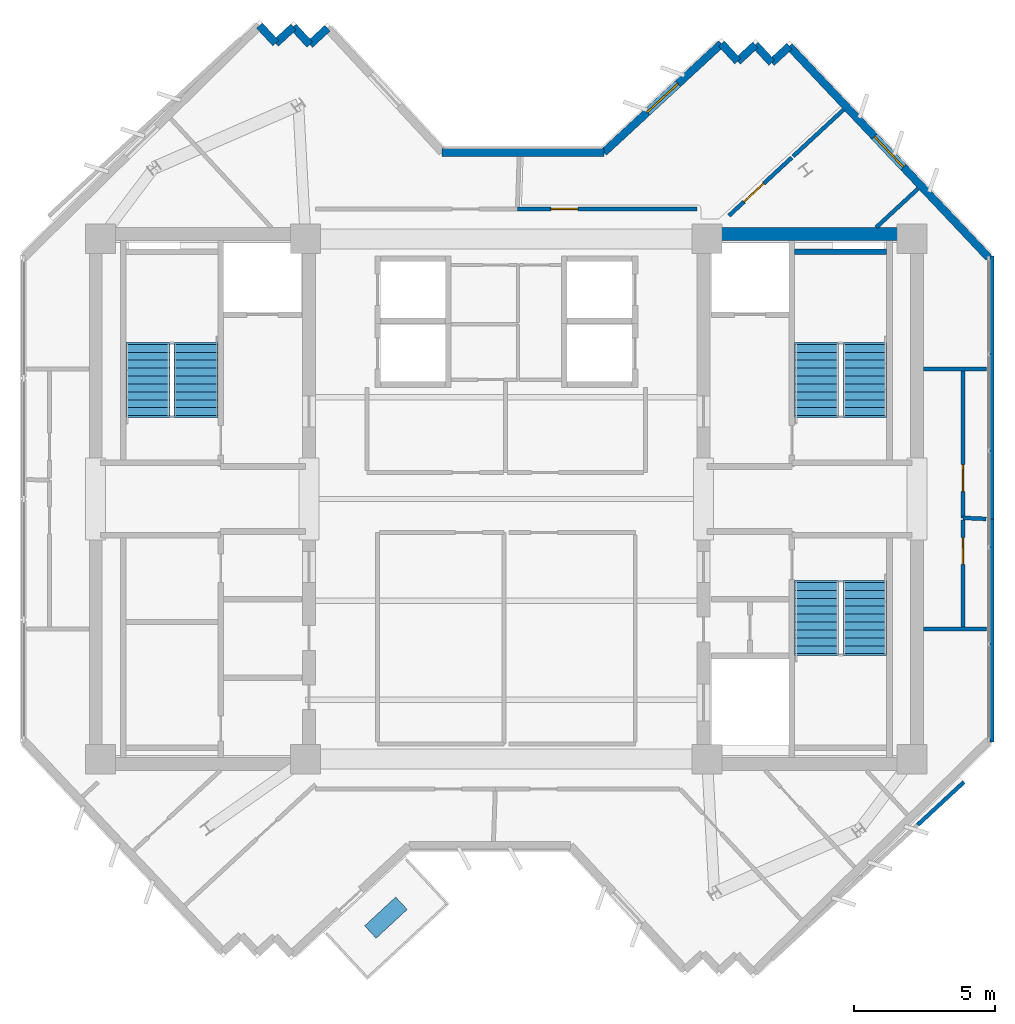
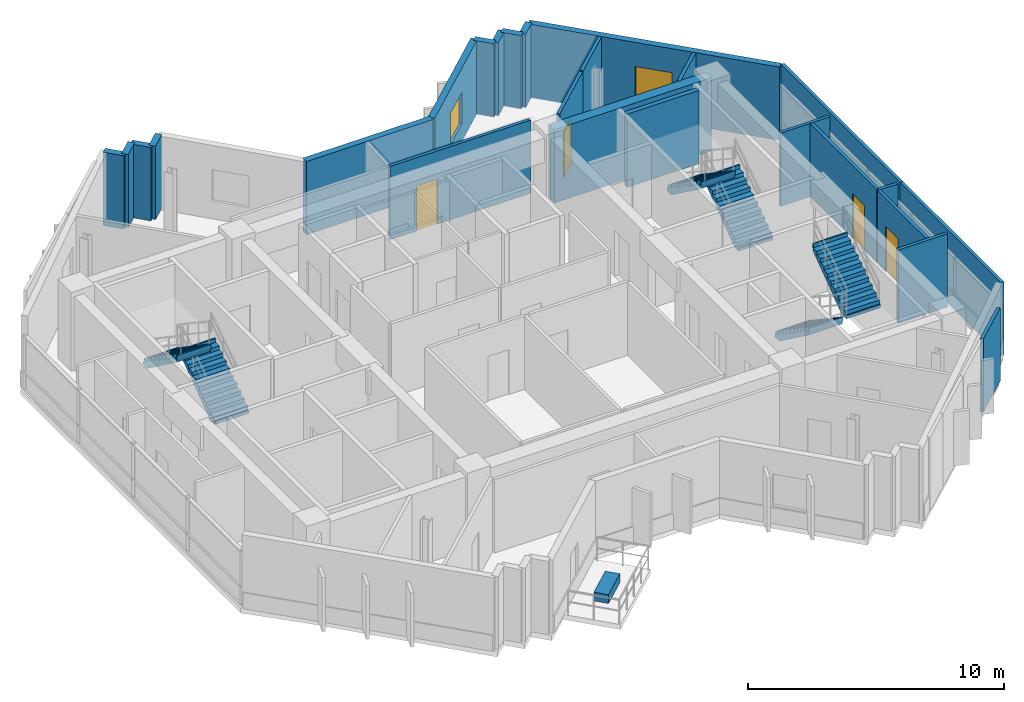
# One storey, part 7 of 9: 25 walls, 6 stair flights, 4 doors, 2 windows, 1 discrete accessory, 6 openings, 3 elements without a shape of their own.
"""IFC4 building model written with IfcOpenShell, lengths in metres."""

from ifc_helpers import new_model, si_unit, direction, frame, frame_2d, origin, origin_2d, place, context, subcontext, project, spatial, polyline, rectangle, outline, extrude, source, transform, mapped, material, layer, layer_set, type_object, element, fill, aggregate, save


model = new_model("IFC4")

# Units and contexts
model_context = context("Model", 3, precision=1e-05, world=origin(), true_north=direction((0.0, 1.0)))
body_context = subcontext(model_context, "Body", "Model", "MODEL_VIEW")
ifc_project = project(units=[si_unit("LENGTHUNIT", "METRE"), si_unit("AREAUNIT", "SQUARE_METRE"), si_unit("VOLUMEUNIT", "CUBIC_METRE"), si_unit("PLANEANGLEUNIT", "RADIAN"), si_unit("MASSUNIT", "GRAM", prefix="KILO")], contexts=[model_context])

# Site, building, storey
site_placement = place(None, origin())
site = spatial("IfcSite", under=ifc_project, at=site_placement, CompositionType="ELEMENT")
building_placement = place(site_placement, origin())
building = spatial("IfcBuilding", under=site, at=building_placement, Name="Zahravan Cultural Tower", CompositionType="ELEMENT")
storey_placement = place(building_placement, frame((0.0, 0.0, 295.35009765625)))
storey = spatial("IfcBuildingStorey", under=building, at=storey_placement, Name="L71", CompositionType="ELEMENT", Elevation=295.35009765625)

# Wall, opening, window
ifc_material_1 = material(Name="Precast concrete C40/50", Category="concrete")
ifc_layer_1 = layer(ifc_material_1, 0.280029296875)
ifc_layer_set_1 = layer_set([ifc_layer_1], Name="Precast concrete C40/50")
wall_type_1 = type_object("IfcWallType", Name="EW-TC-280", PredefinedType="SOLIDWALL", material=ifc_layer_set_1)
wall_1_placement = place(storey_placement, frame((39.44677734375, 39.260009765625, 0.0), z_axis=(0.0, 0.0, 1.0), x_axis=(0.734109106874, 0.679031530346, 0.0)))
wall_1 = element("IfcWall", 1, at=wall_1_placement, inside=storey, type_object=wall_type_1, Name="L71 Exterior Masonry Frame Wall 01", PredefinedType="SOLIDWALL", context=body_context, shape_type="SweptSolid", body=[
    extrude(rectangle(XDim=5.6650390625, YDim=0.280029296875, at=frame_2d((2.83251953125, 0.0))), origin(), (0.0, 0.0, 1.0), 3.5),
])
opening_1_placement = place(wall_1_placement, frame((2.08203125, 0.0, 0.85009765625)))
opening_1 = element("IfcOpeningElement", 2, at=opening_1_placement, cuts=wall_1, Name="Opening WN-03", PredefinedType="OPENING", context=body_context, shape_type="SweptSolid", body=[
    extrude(rectangle(XDim=1.5, YDim=1.5, at=frame_2d((0.75, 0.75))), frame((0.0, 0.14990234375, 0.0), z_axis=(0.0, -1.0, 0.0), x_axis=(1.0, 0.0, 0.0)), (0.0, 0.0, 1.0), 0.300048828125),
])
ifc_material_2 = material(Name="Low-E solar-control double glazing", Category="glass")
window_type = type_object("IfcWindowType", Name="WN-REC-1500X1500", PartitioningType="SINGLE_PANEL", PredefinedType="WINDOW", material=ifc_material_2)
shared_shape_1 = source(origin(), body_context, "Body", "SweptSolid", [
    extrude(rectangle(XDim=1.5, YDim=1.5, at=frame_2d((0.75, 0.75))), frame((0.0, 0.030029296875, 0.0), z_axis=(0.0, -1.0, 0.0), x_axis=(1.0, 0.0, 0.0)), (0.0, 0.0, 1.0), 0.06005859375),
])
window_1_placement = place(opening_1_placement, origin())
window_1 = element("IfcWindow", 3, at=window_1_placement, inside=storey, type_object=window_type, Name="L71 Recessed Solar Window 01", OverallHeight=1.5, OverallWidth=1.5, PartitioningType="SINGLE_PANEL", PredefinedType="WINDOW", context=body_context, shape_type="MappedRepresentation", body=[
    mapped(shared_shape_1, transform((0.0, 0.0, 0.0), x_axis=(1.0, 0.0, 0.0), y_axis=(0.0, 1.0, 0.0), z_axis=(0.0, 0.0, 1.0), scale=1.0)),
])
fill(opening_1, window_1)

wall_2_placement = place(storey_placement, frame((46.0078125, 43.012939453125, 0.0), z_axis=(0.0, 0.0, 1.0), x_axis=(0.68643580465, -0.727190405667, 0.0)))
wall_2 = element("IfcWall", 4, at=wall_2_placement, inside=storey, type_object=wall_type_1, Name="L71 Exterior Masonry Frame Wall 06", PredefinedType="SOLIDWALL", context=body_context, shape_type="SweptSolid", body=[
    extrude(rectangle(XDim=10.273681640625, YDim=0.280029296875, at=frame_2d((5.13671875, 0.0))), origin(), (0.0, 0.0, 1.0), 3.5),
])
opening_2_placement = place(wall_2_placement, frame((4.386962890625, 0.0, 0.85009765625)))
opening_2 = element("IfcOpeningElement", 5, at=opening_2_placement, cuts=wall_2, Name="Opening WN-03", PredefinedType="OPENING", context=body_context, shape_type="SweptSolid", body=[
    extrude(rectangle(XDim=1.5, YDim=1.5, at=frame_2d((0.75, 0.75))), frame((0.0, 0.14990234375, 0.0), z_axis=(0.0, -1.0, 0.0), x_axis=(1.0, 0.0, 0.0)), (0.0, 0.0, 1.0), 0.300048828125),
])
window_2_placement = place(opening_2_placement, origin())
window_2 = element("IfcWindow", 6, at=window_2_placement, inside=storey, type_object=window_type, Name="L71 Recessed Solar Window 02", OverallHeight=1.5, OverallWidth=1.5, PartitioningType="SINGLE_PANEL", PredefinedType="WINDOW", context=body_context, shape_type="MappedRepresentation", body=[
    mapped(shared_shape_1, transform((0.0, 0.0, 0.0), x_axis=(1.0, 0.0, 0.0), y_axis=(0.0, 1.0, 0.0), z_axis=(0.0, 0.0, 1.0), scale=1.0)),
])
fill(opening_2, window_2)

# Wall, opening, door
ifc_material_3 = material(Name="Gypsum plasterboard partition")
ifc_layer_2 = layer(ifc_material_3, 0.139892578125)
ifc_layer_set_2 = layer_set([ifc_layer_2], Name="Gypsum plasterboard partition")
wall_type_2 = type_object("IfcWallType", Name="W-PART-140", PredefinedType="PARTITIONING", material=ifc_layer_set_2)
wall_3_placement = place(storey_placement, frame((43.873046875, 37.02001953125, 0.0), z_axis=(0.0, 0.0, 1.0), x_axis=(0.734120521476, 0.679019189676, 0.0)))
wall_3 = element("IfcWall", 7, at=wall_3_placement, inside=storey, type_object=wall_type_2, Name="L71 Interior Wall 063", PredefinedType="PARTITIONING", context=body_context, shape_type="SweptSolid", body=[
    extrude(rectangle(XDim=3.030517578125, YDim=0.139892578125, at=frame_2d((1.51513671875, 0.0))), origin(), (0.0, 0.0, 1.0), 3.5),
])
opening_3_placement = place(wall_3_placement, frame((0.728271484375, 0.0, 0.0)))
opening_3 = element("IfcOpeningElement", 8, at=opening_3_placement, cuts=wall_3, Name="Opening D-L71-29", PredefinedType="OPENING", context=body_context, shape_type="SweptSolid", body=[
    extrude(rectangle(XDim=0.949951171875, YDim=2.14990234375, at=frame_2d((0.47509765625, 1.074951171875))), frame((0.0, 0.079833984375, 0.0), z_axis=(0.0, -1.0, 0.0), x_axis=(1.0, 0.0, 0.0)), (0.0, 0.0, 1.0), 0.159912109375),
])
ifc_material_4 = material(Name="Anodised bronze-aluminium mullion", Category="aluminium")
door_type = type_object("IfcDoorType", Name="DR-ROOM-950", OperationType="NOTDEFINED", PredefinedType="DOOR", material=ifc_material_4)
shared_shape_2 = source(origin(), body_context, "Body", "SweptSolid", [
    extrude(rectangle(XDim=0.949951171875, YDim=2.14990234375, at=frame_2d((0.47509765625, 1.074951171875))), frame((0.0, 0.02490234375, 0.0), z_axis=(0.0, -1.0, 0.0), x_axis=(1.0, 0.0, 0.0)), (0.0, 0.0, 1.0), 0.050048828125),
])
door_1_placement = place(opening_3_placement, origin())
door_1 = element("IfcDoor", 9, at=door_1_placement, inside=storey, type_object=door_type, Name="L71 Door D-L71-29", OperationType="SINGLE_SWING_LEFT", OverallHeight=2.14990234375, OverallWidth=0.949951171875, PredefinedType="DOOR", context=body_context, shape_type="MappedRepresentation", body=[
    mapped(shared_shape_2, transform((0.0, 0.0, 0.0), x_axis=(1.0, 0.0, 0.0), y_axis=(0.0, 1.0, 0.0), z_axis=(0.0, 0.0, 1.0), scale=1.0)),
])
fill(opening_3, door_1)

wall_4_placement = place(storey_placement, frame((52.14990234375, 26.33251953125, 0.0), z_axis=(0.0, 0.0, 1.0), x_axis=(-0.000188111359, 0.999999982307, 0.0)))
wall_4 = element("IfcWall", 10, at=wall_4_placement, inside=storey, type_object=wall_type_2, Name="L71 Interior Wall 072", PredefinedType="PARTITIONING", context=body_context, shape_type="SweptSolid", body=[
    extrude(rectangle(XDim=5.19140625, YDim=0.139892578125, at=frame_2d((2.595703125, 0.0))), origin(), (0.0, 0.0, 1.0), 3.5),
])
opening_4_placement = place(wall_4_placement, frame((0.93310546875, 0.0, 0.0)))
opening_4 = element("IfcOpeningElement", 11, at=opening_4_placement, cuts=wall_4, Name="Opening D-L71-20", PredefinedType="OPENING", context=body_context, shape_type="SweptSolid", body=[
    extrude(rectangle(XDim=0.949951171875, YDim=2.14990234375, at=frame_2d((0.47509765625, 1.074951171875))), frame((0.0, 0.079833984375, 0.0), z_axis=(0.0, -1.0, 0.0), x_axis=(1.0, 0.0, 0.0)), (0.0, 0.0, 1.0), 0.159912109375),
])
door_2_placement = place(opening_4_placement, origin())
door_2 = element("IfcDoor", 12, at=door_2_placement, inside=storey, type_object=door_type, Name="L71 Door D-L71-20", OperationType="SINGLE_SWING_RIGHT", OverallHeight=2.14990234375, OverallWidth=0.949951171875, PredefinedType="DOOR", context=body_context, shape_type="MappedRepresentation", body=[
    mapped(shared_shape_2, transform((0.0, 0.0, 0.0), x_axis=(1.0, 0.0, 0.0), y_axis=(0.0, 1.0, 0.0), z_axis=(0.0, 0.0, 1.0), scale=1.0)),
])
fill(opening_4, door_2)

wall_5_placement = place(storey_placement, frame((52.148681640625, 22.477294921875, 0.0), z_axis=(0.0, 0.0, 1.0), x_axis=(0.000322913959, 0.999999947863, 0.0)))
wall_5 = element("IfcWall", 13, at=wall_5_placement, inside=storey, type_object=wall_type_2, Name="L71 Interior Wall 074", PredefinedType="PARTITIONING", context=body_context, shape_type="SweptSolid", body=[
    extrude(rectangle(XDim=3.7802734375, YDim=0.139892578125, at=frame_2d((1.89013671875, 0.0))), origin(), (0.0, 0.0, 1.0), 3.5),
])
opening_5_placement = place(wall_5_placement, frame((2.20751953125, 0.0, 0.0)))
opening_5 = element("IfcOpeningElement", 14, at=opening_5_placement, cuts=wall_5, Name="Opening D-L71-27", PredefinedType="OPENING", context=body_context, shape_type="SweptSolid", body=[
    extrude(rectangle(XDim=0.949951171875, YDim=2.14990234375, at=frame_2d((0.47509765625, 1.074951171875))), frame((0.0, 0.079833984375, 0.0), z_axis=(0.0, -1.0, 0.0), x_axis=(1.0, 0.0, 0.0)), (0.0, 0.0, 1.0), 0.159912109375),
])
door_3_placement = place(opening_5_placement, origin())
door_3 = element("IfcDoor", 15, at=door_3_placement, inside=storey, type_object=door_type, Name="L71 Door D-L71-27", OperationType="SINGLE_SWING_LEFT", OverallHeight=2.14990234375, OverallWidth=0.949951171875, PredefinedType="DOOR", context=body_context, shape_type="MappedRepresentation", body=[
    mapped(shared_shape_2, transform((0.0, 0.0, 0.0), x_axis=(1.0, 0.0, 0.0), y_axis=(0.0, 1.0, 0.0), z_axis=(0.0, 0.0, 1.0), scale=1.0)),
])
fill(opening_5, door_3)

wall_6_placement = place(storey_placement, frame((42.742431640625, 37.259765625, 0.0), z_axis=(0.0, 0.0, 1.0), x_axis=(-0.999999999261, 3.8433452e-05, 0.0)))
wall_6 = element("IfcWall", 16, at=wall_6_placement, inside=storey, type_object=wall_type_2, Name="L71 Interior Wall 092", PredefinedType="PARTITIONING", context=body_context, shape_type="SweptSolid", body=[
    extrude(rectangle(XDim=6.352294921875, YDim=0.139892578125, at=frame_2d((3.17626953125, 0.0))), origin(), (0.0, 0.0, 1.0), 3.5),
])
opening_6_placement = place(wall_6_placement, frame((4.213623046875, 0.0, 0.0)))
opening_6 = element("IfcOpeningElement", 17, at=opening_6_placement, cuts=wall_6, Name="Opening D-L71-21", PredefinedType="OPENING", context=body_context, shape_type="SweptSolid", body=[
    extrude(rectangle(XDim=0.949951171875, YDim=2.14990234375, at=frame_2d((0.47509765625, 1.074951171875))), frame((0.0, 0.079833984375, 0.0), z_axis=(0.0, -1.0, 0.0), x_axis=(1.0, 0.0, 0.0)), (0.0, 0.0, 1.0), 0.159912109375),
])
door_4_placement = place(opening_6_placement, origin())
door_4 = element("IfcDoor", 18, at=door_4_placement, inside=storey, type_object=door_type, Name="L71 Door D-L71-21", OperationType="SINGLE_SWING_LEFT", OverallHeight=2.14990234375, OverallWidth=0.949951171875, PredefinedType="DOOR", context=body_context, shape_type="MappedRepresentation", body=[
    mapped(shared_shape_2, transform((0.0, 0.0, 0.0), x_axis=(1.0, 0.0, 0.0), y_axis=(0.0, 1.0, 0.0), z_axis=(0.0, 0.0, 1.0), scale=1.0)),
])
fill(opening_6, door_4)

# Walls
ifc_material_5 = material(Name="Concrete C50/60", Category="concrete")
ifc_layer_3 = layer(ifc_material_5, 0.449951171875)
ifc_layer_set_3 = layer_set([ifc_layer_3], Name="Concrete C50/60")
wall_type_3 = type_object("IfcWallType", Name="CW-SHEAR-450-C50", PredefinedType="SHEAR", material=ifc_layer_set_3)
shared_shape_3 = source(origin(), body_context, "Body", "SweptSolid", [
    extrude(rectangle(XDim=7.10009765625, YDim=0.449951171875, at=frame_2d((3.550048828125, 0.0))), origin(), (0.0, 0.0, 1.0), 3.5),
])
wall_7_placement = place(storey_placement, frame((43.199951171875, 36.375, 0.0), z_axis=(0.0, 0.0, 1.0), x_axis=(1.0, 0.0, 0.0)))
element("IfcWall", 19, at=wall_7_placement, inside=storey, type_object=wall_type_3, Name="L71 Core Shear Wall CW-E-N-L71", PredefinedType="SHEAR", context=body_context, shape_type="MappedRepresentation", body=[
    mapped(shared_shape_3, transform((0.0, 0.0, 0.0), x_axis=(1.0, 0.0, 0.0), y_axis=(0.0, 1.0, 0.0), z_axis=(0.0, 0.0, 1.0), scale=1.0)),
])
shared_shape_4 = source(origin(), body_context, "Body", "SweptSolid", [
    extrude(rectangle(XDim=0.85009765625, YDim=0.280029296875, at=frame_2d((0.425048828125, 0.0))), origin(), (0.0, 0.0, 1.0), 3.5),
])
for number, where, z_axis, x_axis, name in (
    (20, (43.60546875, 43.106689453125, 0.0), (0.0, 0.0, 1.0), (0.67899554472, -0.734142390991, 0.0), "L71 Exterior Masonry Frame Wall 02"),
    (21, (44.1826171875, 42.482666015625, 0.0), (0.0, 0.0, 1.0), (0.734142390991, 0.67899554472, 0.0), "L71 Exterior Masonry Frame Wall 03"),
    (22, (44.806640625, 43.059814453125, 0.0), (0.0, 0.0, 1.0), (0.67899554472, -0.734142390991, 0.0), "L71 Exterior Masonry Frame Wall 04"),
    (23, (45.3837890625, 42.435791015625, 0.0), (0.0, 0.0, 1.0), (0.734142390991, 0.67899554472, 0.0), "L71 Exterior Masonry Frame Wall 05"),
    (24, (27.26953125, 43.74365234375, 0.0), (0.0, 0.0, 1.0), (0.67899554472, -0.734142390991, 0.0), "L71 Exterior Masonry Frame Wall 21"),
    (25, (27.8466796875, 43.11962890625, 0.0), (0.0, 0.0, 1.0), (0.733999227766, 0.679150302686, 0.0), "L71 Exterior Masonry Frame Wall 22"),
    (26, (28.470703125, 43.697021484375, 0.0), (0.0, 0.0, 1.0), (0.679150302686, -0.733999227766, 0.0), "L71 Exterior Masonry Frame Wall 23"),
):
    element("IfcWall", number, at=place(storey_placement, frame(where, z_axis=z_axis, x_axis=x_axis)), inside=storey, type_object=wall_type_1, Name=name, PredefinedType="SOLIDWALL", context=body_context, shape_type="MappedRepresentation", body=[
        mapped(shared_shape_4, transform((0.0, 0.0, 0.0), x_axis=(1.0, 0.0, 0.0), y_axis=(0.0, 1.0, 0.0), z_axis=(0.0, 0.0, 1.0), scale=1.0)),
    ])
shared_shape_5 = source(origin(), body_context, "Body", "SweptSolid", [
    extrude(rectangle(XDim=0.849853515625, YDim=0.280029296875, at=frame_2d((0.4248046875, 0.0))), origin(), (0.0, 0.0, 1.0), 3.5),
])
wall_8_placement = place(storey_placement, frame((29.048095703125, 43.072998046875, 0.0), z_axis=(0.0, 0.0, 1.0), x_axis=(0.73428557742, 0.678840696183, 0.0)))
element("IfcWall", 27, at=wall_8_placement, inside=storey, type_object=wall_type_1, Name="L71 Exterior Masonry Frame Wall 24", PredefinedType="SOLIDWALL", context=body_context, shape_type="MappedRepresentation", body=[
    mapped(shared_shape_5, transform((0.0, 0.0, 0.0), x_axis=(1.0, 0.0, 0.0), y_axis=(0.0, 1.0, 0.0), z_axis=(0.0, 0.0, 1.0), scale=1.0)),
])
shared_shape_6 = source(origin(), body_context, "Body", "SweptSolid", [
    extrude(rectangle(XDim=5.71435546875, YDim=0.280029296875, at=frame_2d((2.857177734375, 0.0))), origin(), (0.0, 0.0, 1.0), 3.5),
])
wall_9_placement = place(storey_placement, frame((33.732421875, 39.260009765625, 0.0), z_axis=(0.0, 0.0, 1.0), x_axis=(1.0, 0.0, 0.0)))
element("IfcWall", 28, at=wall_9_placement, inside=storey, type_object=wall_type_1, Name="L71 Exterior Masonry Frame Wall 26", PredefinedType="SOLIDWALL", context=body_context, shape_type="MappedRepresentation", body=[
    mapped(shared_shape_6, transform((0.0, 0.0, 0.0), x_axis=(1.0, 0.0, 0.0), y_axis=(0.0, 1.0, 0.0), z_axis=(0.0, 0.0, 1.0), scale=1.0)),
])
ifc_material_6 = material(Name="Concrete C45/55", Category="concrete")
ifc_layer_4 = layer(ifc_material_6, 0.199951171875)
ifc_layer_set_4 = layer_set([ifc_layer_4], Name="Concrete C45/55")
wall_type_4 = type_object("IfcWallType", Name="W-SHAFT-200", PredefinedType="SOLIDWALL", material=ifc_layer_set_4)
shared_shape_7 = source(origin(), body_context, "Body", "SweptSolid", [
    extrude(rectangle(XDim=3.25, YDim=0.199951171875, at=frame_2d((1.625, 0.0))), origin(), (0.0, 0.0, 1.0), 3.5),
])
wall_10_placement = place(storey_placement, frame((46.199951171875, 35.75, 0.0), z_axis=(0.0, 0.0, 1.0), x_axis=(1.0, 0.0, 0.0)))
element("IfcWall", 29, at=wall_10_placement, inside=storey, type_object=wall_type_4, Name="L71 Interior Wall 018", PredefinedType="SOLIDWALL", context=body_context, shape_type="MappedRepresentation", body=[
    mapped(shared_shape_7, transform((0.0, 0.0, 0.0), x_axis=(1.0, 0.0, 0.0), y_axis=(0.0, 1.0, 0.0), z_axis=(0.0, 0.0, 1.0), scale=1.0)),
])
shared_shape_8 = source(origin(), body_context, "Body", "SweptSolid", [
    extrude(rectangle(XDim=2.427734375, YDim=0.139892578125, at=frame_2d((1.2138671875, 0.0))), origin(), (0.0, 0.0, 1.0), 3.5),
])
wall_11_placement = place(storey_placement, frame((46.144287109375, 39.12060546875, 0.0), z_axis=(0.0, 0.0, 1.0), x_axis=(0.734124504125, 0.679014883815, 0.0)))
element("IfcWall", 30, at=wall_11_placement, inside=storey, type_object=wall_type_2, Name="L71 Interior Wall 064", PredefinedType="PARTITIONING", context=body_context, shape_type="MappedRepresentation", body=[
    mapped(shared_shape_8, transform((0.0, 0.0, 0.0), x_axis=(1.0, 0.0, 0.0), y_axis=(0.0, 1.0, 0.0), z_axis=(0.0, 0.0, 1.0), scale=1.0)),
])
shared_shape_9 = source(origin(), body_context, "Body", "SweptSolid", [
    extrude(rectangle(XDim=2.02001953125, YDim=0.139892578125, at=frame_2d((1.010009765625, 0.0))), origin(), (0.0, 0.0, 1.0), 3.5),
])
wall_12_placement = place(storey_placement, frame((50.5625, 37.9765625, 0.0), z_axis=(0.0, 0.0, 1.0), x_axis=(-0.734126550915, -0.679012670899, 0.0)))
element("IfcWall", 31, at=wall_12_placement, inside=storey, type_object=wall_type_2, Name="L71 Interior Wall 065", PredefinedType="PARTITIONING", context=body_context, shape_type="MappedRepresentation", body=[
    mapped(shared_shape_9, transform((0.0, 0.0, 0.0), x_axis=(1.0, 0.0, 0.0), y_axis=(0.0, 1.0, 0.0), z_axis=(0.0, 0.0, 1.0), scale=1.0)),
])
shared_shape_10 = source(origin(), body_context, "Body", "SweptSolid", [
    extrude(rectangle(XDim=2.22265625, YDim=0.139892578125, at=frame_2d((1.111328125, 0.0))), origin(), (0.0, 0.0, 1.0), 3.5),
])
for number, where, z_axis, x_axis, name in (
    (32, (52.9775390625, 31.598388671875, 0.0), (0.0, 0.0, 1.0), (-0.999999704402, 0.000768892567, 0.0), "L71 Interior Wall 069"),
    (33, (50.7548828125, 22.400146484375, 0.0), (0.0, 0.0, 1.0), (0.99999881761, 0.00153778377, 0.0), "L71 Interior Wall 073"),
):
    element("IfcWall", number, at=place(storey_placement, frame(where, z_axis=z_axis, x_axis=x_axis)), inside=storey, type_object=wall_type_2, Name=name, PredefinedType="PARTITIONING", context=body_context, shape_type="MappedRepresentation", body=[
        mapped(shared_shape_10, transform((0.0, 0.0, 0.0), x_axis=(1.0, 0.0, 0.0), y_axis=(0.0, 1.0, 0.0), z_axis=(0.0, 0.0, 1.0), scale=1.0)),
    ])
shared_shape_11 = source(origin(), body_context, "Body", "SweptSolid", [
    extrude(rectangle(XDim=9.30419921875, YDim=0.139892578125, at=frame_2d((4.652099609375, 0.0))), origin(), (0.0, 0.0, 1.0), 3.5),
])
wall_13_placement = place(storey_placement, frame((53.179931640625, 35.591796875, 0.0), z_axis=(0.0, 0.0, 1.0), x_axis=(0.0, -1.0, 0.0)))
element("IfcWall", 34, at=wall_13_placement, inside=storey, type_object=wall_type_2, Name="L71 Interior Wall 070", PredefinedType="PARTITIONING", context=body_context, shape_type="MappedRepresentation", body=[
    mapped(shared_shape_11, transform((0.0, 0.0, 0.0), x_axis=(1.0, 0.0, 0.0), y_axis=(0.0, 1.0, 0.0), z_axis=(0.0, 0.0, 1.0), scale=1.0)),
])
shared_shape_12 = source(origin(), body_context, "Body", "SweptSolid", [
    extrude(rectangle(XDim=0.8232421875, YDim=0.139892578125, at=frame_2d((0.41162109375, 0.0))), origin(), (0.0, 0.0, 1.0), 3.5),
])
wall_14_placement = place(storey_placement, frame((52.972412109375, 26.296630859375, 0.0), z_axis=(0.0, 0.0, 1.0), x_axis=(-0.999049432265, 0.043591649315, 0.0)))
element("IfcWall", 35, at=wall_14_placement, inside=storey, type_object=wall_type_2, Name="L71 Interior Wall 071", PredefinedType="PARTITIONING", context=body_context, shape_type="MappedRepresentation", body=[
    mapped(shared_shape_12, transform((0.0, 0.0, 0.0), x_axis=(1.0, 0.0, 0.0), y_axis=(0.0, 1.0, 0.0), z_axis=(0.0, 0.0, 1.0), scale=1.0)),
])
shared_shape_13 = source(origin(), body_context, "Body", "SweptSolid", [
    extrude(rectangle(XDim=7.87939453125, YDim=0.139892578125, at=frame_2d((3.939697265625, 0.0))), origin(), (0.0, 0.0, 1.0), 3.5),
])
wall_15_placement = place(storey_placement, frame((53.179931640625, 26.28759765625, 0.0), z_axis=(0.0, 0.0, 1.0), x_axis=(0.0, -1.0, 0.0)))
element("IfcWall", 36, at=wall_15_placement, inside=storey, type_object=wall_type_2, Name="L71 Interior Wall 075", PredefinedType="PARTITIONING", context=body_context, shape_type="MappedRepresentation", body=[
    mapped(shared_shape_13, transform((0.0, 0.0, 0.0), x_axis=(1.0, 0.0, 0.0), y_axis=(0.0, 1.0, 0.0), z_axis=(0.0, 0.0, 1.0), scale=1.0)),
])
shared_shape_14 = source(origin(), body_context, "Body", "SweptSolid", [
    extrude(rectangle(XDim=2.2294921875, YDim=0.139892578125, at=frame_2d((1.11474609375, 0.0))), origin(), (0.0, 0.0, 1.0), 3.5),
])
wall_16_placement = place(storey_placement, frame((52.18212890625, 16.985107421875, 0.0), z_axis=(0.0, 0.0, 1.0), x_axis=(-0.734110356631, -0.679030179217, 0.0)))
element("IfcWall", 37, at=wall_16_placement, inside=storey, type_object=wall_type_2, Name="L71 Interior Wall 076", PredefinedType="PARTITIONING", context=body_context, shape_type="MappedRepresentation", body=[
    mapped(shared_shape_14, transform((0.0, 0.0, 0.0), x_axis=(1.0, 0.0, 0.0), y_axis=(0.0, 1.0, 0.0), z_axis=(0.0, 0.0, 1.0), scale=1.0)),
])

# Stair, stair flights
stair_type = type_object("IfcStairType", Name="STR-DL-1550-375", PredefinedType="HALF_TURN_STAIR", material=ifc_material_6)
stair_1_placement = place(storey_placement, origin())
stair_1 = element("IfcStair", 38, at=stair_1_placement, inside=storey, type_object=stair_type, Name="L71 West Core North Exit Stair ST-W1", PredefinedType="HALF_TURN_STAIR")
stair_flight_type = type_object("IfcStairFlightType", Name="FLG-DL-1550-375", PredefinedType="STRAIGHT", material=ifc_material_6)
stair_flight_1_placement = place(storey_placement, frame((25.02490234375, 29.949951171875, 0.0), z_axis=(0.0, 0.0, 1.0), x_axis=(0.0, 1.0, 0.0)))
stair_flight_1 = element("IfcStairFlight", 39, at=stair_flight_1_placement, type_object=stair_flight_type, Name="ST-W1 flight 1", NumberOfRisers=10, NumberOfTreads=9, PredefinedType="STRAIGHT", RiserHeight=0.1875, TreadLength=0.28, context=body_context, shape_type="SweptSolid", body=[
    extrude(outline(polyline([(-0.06494140625, -0.139892578125), (-0.06494140625, 0.0), (0.0, 0.0), (0.0, 0.1875), (0.280029296875, 0.1875), (0.280029296875, 0.375), (0.56005859375, 0.375), (0.56005859375, 0.5625), (0.840087890625, 0.5625), (0.840087890625, 0.75), (1.1201171875, 0.75), (1.1201171875, 0.9375), (1.39990234375, 0.9375), (1.39990234375, 1.125), (1.679931640625, 1.125), (1.679931640625, 1.3125), (1.9599609375, 1.3125), (1.9599609375, 1.5), (2.239990234375, 1.5), (2.239990234375, 1.6875), (2.52001953125, 1.6875), (2.52001953125, 1.875), (2.5849609375, 1.875), (2.5849609375, 1.72509765625), (2.52001953125, 1.507080078125), (0.26953125, -0.139892578125), (-0.06494140625, -0.139892578125)])), frame((0.0, 0.77490234375, 0.0), z_axis=(0.0, -1.0, 0.0), x_axis=(1.0, 0.0, 0.0)), (0.0, 0.0, 1.0), 1.550048828125),
])
stair_flight_2_placement = place(storey_placement, frame((23.324951171875, 32.469970703125, 1.875), z_axis=(0.0, 0.0, 1.0), x_axis=(0.0, -1.0, 0.0)))
stair_flight_2 = element("IfcStairFlight", 40, at=stair_flight_2_placement, type_object=stair_flight_type, Name="ST-W1 flight 2", NumberOfRisers=10, NumberOfTreads=9, PredefinedType="STRAIGHT", RiserHeight=0.1875, TreadLength=0.28, context=body_context, shape_type="SweptSolid", body=[
    extrude(outline(polyline([(-0.06494140625, -0.139892578125), (-0.06494140625, 0.0), (0.0, 0.0), (0.0, 0.1875), (0.280029296875, 0.1875), (0.280029296875, 0.375), (0.56005859375, 0.375), (0.56005859375, 0.5625), (0.840087890625, 0.5625), (0.840087890625, 0.75), (1.1201171875, 0.75), (1.1201171875, 0.9375), (1.39990234375, 0.9375), (1.39990234375, 1.125), (1.679931640625, 1.125), (1.679931640625, 1.3125), (1.9599609375, 1.3125), (1.9599609375, 1.5), (2.239990234375, 1.5), (2.239990234375, 1.6875), (2.52001953125, 1.6875), (2.52001953125, 1.875), (2.5849609375, 1.875), (2.5849609375, 1.72509765625), (2.52001953125, 1.507080078125), (0.26953125, -0.139892578125), (-0.06494140625, -0.139892578125)])), frame((0.0, 0.77490234375, 0.0), z_axis=(0.0, -1.0, 0.0), x_axis=(1.0, 0.0, 0.0)), (0.0, 0.0, 1.0), 1.550048828125),
])
aggregate(stair_1, [stair_flight_1, stair_flight_2])

stair_2_placement = place(storey_placement, origin())
stair_2 = element("IfcStair", 41, at=stair_2_placement, inside=storey, type_object=stair_type, Name="L71 East Core North Exit Stair ST-E1", PredefinedType="HALF_TURN_STAIR")
stair_flight_3_placement = place(storey_placement, frame((48.675048828125, 29.949951171875, 0.0), z_axis=(0.0, 0.0, 1.0), x_axis=(0.0, 1.0, 0.0)))
stair_flight_3 = element("IfcStairFlight", 42, at=stair_flight_3_placement, type_object=stair_flight_type, Name="ST-E1 flight 1", NumberOfRisers=10, NumberOfTreads=9, PredefinedType="STRAIGHT", RiserHeight=0.1875, TreadLength=0.28, context=body_context, shape_type="SweptSolid", body=[
    extrude(outline(polyline([(-0.06494140625, -0.139892578125), (-0.06494140625, 0.0), (0.0, 0.0), (0.0, 0.1875), (0.280029296875, 0.1875), (0.280029296875, 0.375), (0.56005859375, 0.375), (0.56005859375, 0.5625), (0.840087890625, 0.5625), (0.840087890625, 0.75), (1.1201171875, 0.75), (1.1201171875, 0.9375), (1.39990234375, 0.9375), (1.39990234375, 1.125), (1.679931640625, 1.125), (1.679931640625, 1.3125), (1.9599609375, 1.3125), (1.9599609375, 1.5), (2.239990234375, 1.5), (2.239990234375, 1.6875), (2.52001953125, 1.6875), (2.52001953125, 1.875), (2.5849609375, 1.875), (2.5849609375, 1.72509765625), (2.52001953125, 1.507080078125), (0.26953125, -0.139892578125), (-0.06494140625, -0.139892578125)])), frame((0.0, 0.77490234375, 0.0), z_axis=(0.0, -1.0, 0.0), x_axis=(1.0, 0.0, 0.0)), (0.0, 0.0, 1.0), 1.550048828125),
])
stair_flight_4_placement = place(storey_placement, frame((46.97509765625, 32.469970703125, 1.875), z_axis=(0.0, 0.0, 1.0), x_axis=(0.0, -1.0, 0.0)))
stair_flight_4 = element("IfcStairFlight", 43, at=stair_flight_4_placement, type_object=stair_flight_type, Name="ST-E1 flight 2", NumberOfRisers=10, NumberOfTreads=9, PredefinedType="STRAIGHT", RiserHeight=0.1875, TreadLength=0.28, context=body_context, shape_type="SweptSolid", body=[
    extrude(outline(polyline([(-0.06494140625, -0.139892578125), (-0.06494140625, 0.0), (0.0, 0.0), (0.0, 0.1875), (0.280029296875, 0.1875), (0.280029296875, 0.375), (0.56005859375, 0.375), (0.56005859375, 0.5625), (0.840087890625, 0.5625), (0.840087890625, 0.75), (1.1201171875, 0.75), (1.1201171875, 0.9375), (1.39990234375, 0.9375), (1.39990234375, 1.125), (1.679931640625, 1.125), (1.679931640625, 1.3125), (1.9599609375, 1.3125), (1.9599609375, 1.5), (2.239990234375, 1.5), (2.239990234375, 1.6875), (2.52001953125, 1.6875), (2.52001953125, 1.875), (2.5849609375, 1.875), (2.5849609375, 1.72509765625), (2.52001953125, 1.507080078125), (0.26953125, -0.139892578125), (-0.06494140625, -0.139892578125)])), frame((0.0, 0.77490234375, 0.0), z_axis=(0.0, -1.0, 0.0), x_axis=(1.0, 0.0, 0.0)), (0.0, 0.0, 1.0), 1.550048828125),
])
aggregate(stair_2, [stair_flight_3, stair_flight_4])

stair_3_placement = place(storey_placement, origin())
stair_3 = element("IfcStair", 44, at=stair_3_placement, inside=storey, type_object=stair_type, Name="L71 East Core South Exit Stair ST-E2", PredefinedType="HALF_TURN_STAIR")
stair_flight_5_placement = place(storey_placement, frame((46.97509765625, 24.050048828125, 0.0), z_axis=(0.0, 0.0, 1.0), x_axis=(0.0, -1.0, 0.0)))
stair_flight_5 = element("IfcStairFlight", 45, at=stair_flight_5_placement, type_object=stair_flight_type, Name="ST-E2 flight 1", NumberOfRisers=10, NumberOfTreads=9, PredefinedType="STRAIGHT", RiserHeight=0.1875, TreadLength=0.28, context=body_context, shape_type="SweptSolid", body=[
    extrude(outline(polyline([(-0.06494140625, -0.139892578125), (-0.06494140625, 0.0), (0.0, 0.0), (0.0, 0.1875), (0.280029296875, 0.1875), (0.280029296875, 0.375), (0.56005859375, 0.375), (0.56005859375, 0.5625), (0.840087890625, 0.5625), (0.840087890625, 0.75), (1.1201171875, 0.75), (1.1201171875, 0.9375), (1.39990234375, 0.9375), (1.39990234375, 1.125), (1.679931640625, 1.125), (1.679931640625, 1.3125), (1.9599609375, 1.3125), (1.9599609375, 1.5), (2.239990234375, 1.5), (2.239990234375, 1.6875), (2.52001953125, 1.6875), (2.52001953125, 1.875), (2.5849609375, 1.875), (2.5849609375, 1.72509765625), (2.52001953125, 1.507080078125), (0.26953125, -0.139892578125), (-0.06494140625, -0.139892578125)])), frame((0.0, 0.77490234375, 0.0), z_axis=(0.0, -1.0, 0.0), x_axis=(1.0, 0.0, 0.0)), (0.0, 0.0, 1.0), 1.550048828125),
])
stair_flight_6_placement = place(storey_placement, frame((48.675048828125, 21.530029296875, 1.875), z_axis=(0.0, 0.0, 1.0), x_axis=(0.0, 1.0, 0.0)))
stair_flight_6 = element("IfcStairFlight", 46, at=stair_flight_6_placement, type_object=stair_flight_type, Name="ST-E2 flight 2", NumberOfRisers=10, NumberOfTreads=9, PredefinedType="STRAIGHT", RiserHeight=0.1875, TreadLength=0.28, context=body_context, shape_type="SweptSolid", body=[
    extrude(outline(polyline([(-0.06494140625, -0.139892578125), (-0.06494140625, 0.0), (0.0, 0.0), (0.0, 0.1875), (0.280029296875, 0.1875), (0.280029296875, 0.375), (0.56005859375, 0.375), (0.56005859375, 0.5625), (0.840087890625, 0.5625), (0.840087890625, 0.75), (1.1201171875, 0.75), (1.1201171875, 0.9375), (1.39990234375, 0.9375), (1.39990234375, 1.125), (1.679931640625, 1.125), (1.679931640625, 1.3125), (1.9599609375, 1.3125), (1.9599609375, 1.5), (2.239990234375, 1.5), (2.239990234375, 1.6875), (2.52001953125, 1.6875), (2.52001953125, 1.875), (2.5849609375, 1.875), (2.5849609375, 1.72509765625), (2.52001953125, 1.507080078125), (0.26953125, -0.139892578125), (-0.06494140625, -0.139892578125)])), frame((0.0, 0.77490234375, 0.0), z_axis=(0.0, -1.0, 0.0), x_axis=(1.0, 0.0, 0.0)), (0.0, 0.0, 1.0), 1.550048828125),
])
aggregate(stair_3, [stair_flight_5, stair_flight_6])

# Discrete accessory
ifc_material_7 = material(Name="Planted soil and terracotta planter", Category="masonry")
discrete_accessory_type = type_object("IfcDiscreteAccessoryType", Name="ACC-PLANTER-TC", PredefinedType="USERDEFINED", material=ifc_material_7)
shared_shape_15 = source(origin(), body_context, "Body", "SweptSolid", [
    extrude(rectangle(XDim=1.5, YDim=0.60009765625, at=origin_2d()), origin(), (0.0, 0.0, 1.0), 0.419921875),
])
discrete_accessory_placement = place(storey_placement, frame((31.7412109375, 12.194091796875, 0.0), z_axis=(0.0, 0.0, 1.0), x_axis=(0.734124628203, 0.679014749667, 0.0)))
element("IfcDiscreteAccessory", 47, at=discrete_accessory_placement, inside=storey, type_object=discrete_accessory_type, Name="L71 Terracotta Sculpture Planter SW", ObjectType="PLANTER", PredefinedType="USERDEFINED", context=body_context, shape_type="MappedRepresentation", body=[
    mapped(shared_shape_15, transform((0.0, 0.0, 0.0), x_axis=(1.0, 0.0, 0.0), y_axis=(0.0, 1.0, 0.0), z_axis=(0.0, 0.0, 1.0), scale=1.0)),
])

save(model, "model.ifc")
